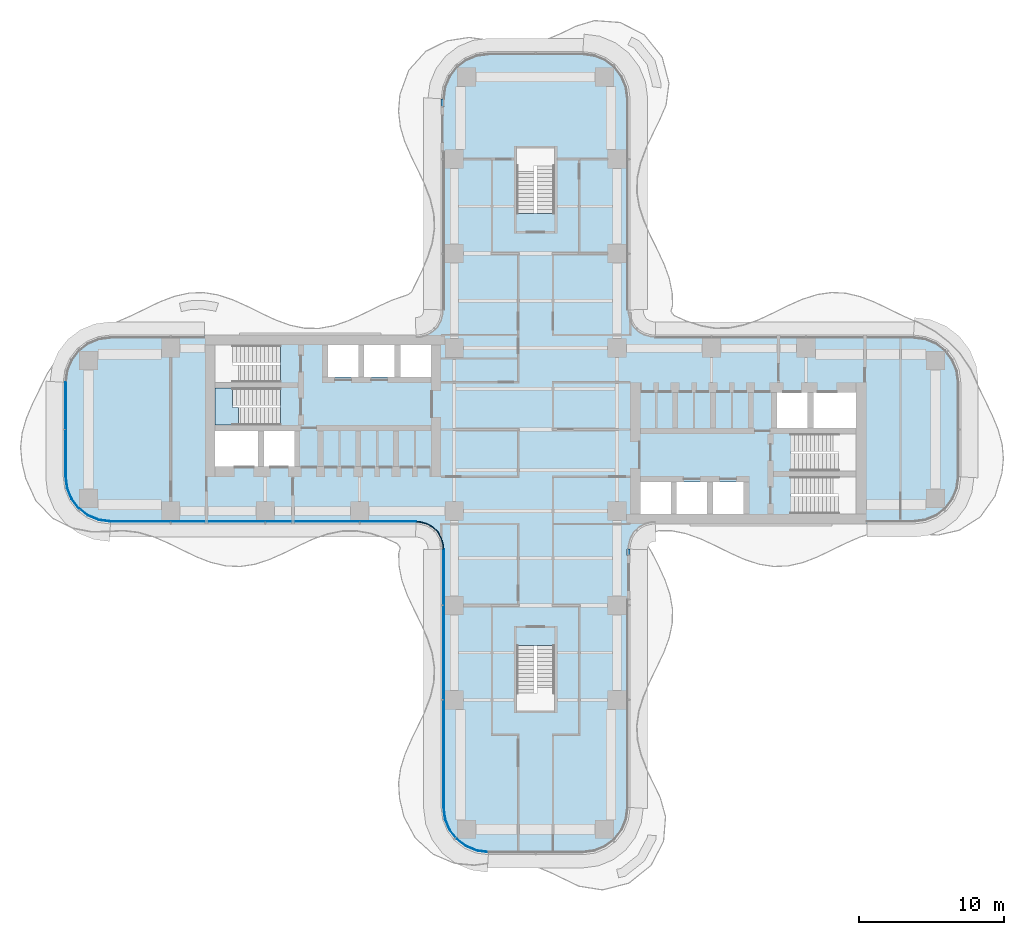
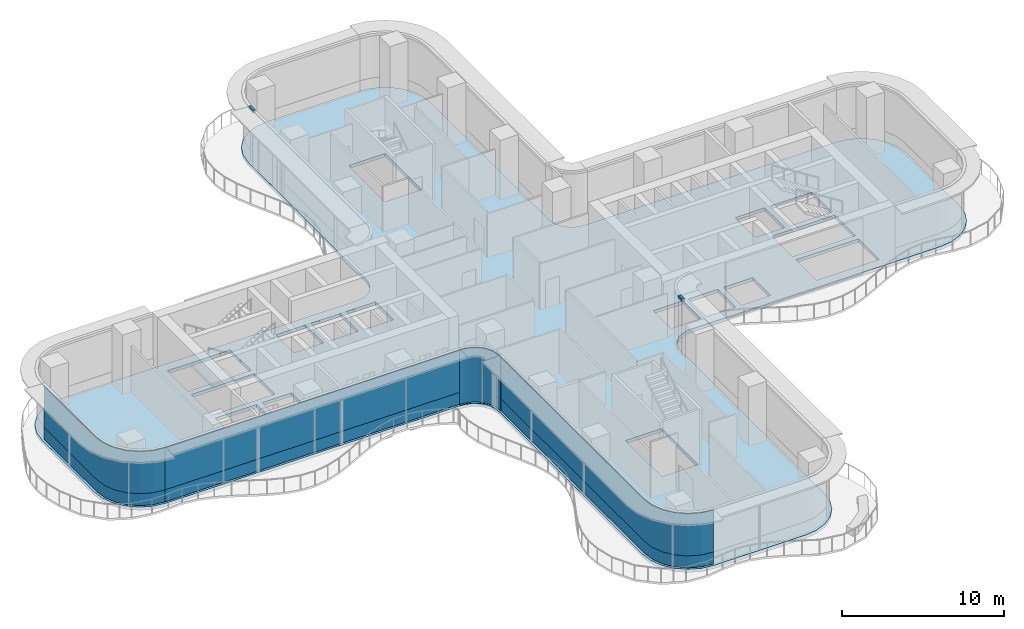
# One storey, part 13 of 23: 7 plates, 2 members, 2 slabs, 7 elements without a shape of their own.
"""IFC4 building model written with IfcOpenShell, lengths in metres."""

from ifc_helpers import new_model, si_unit, direction, frame, origin, place, context, subcontext, project, spatial, polyline, outline, extrude, source, transform, mapped, material, layer, layer_set, type_object, element, aggregate, save


model = new_model("IFC4")

# Units and contexts
model_context = context("Model", 3, precision=1e-05, world=origin(), true_north=direction((0.0, 1.0)))
body_context = subcontext(model_context, "Body", "Model", "MODEL_VIEW")
ifc_project = project(units=[si_unit("LENGTHUNIT", "METRE"), si_unit("AREAUNIT", "SQUARE_METRE"), si_unit("VOLUMEUNIT", "CUBIC_METRE"), si_unit("PLANEANGLEUNIT", "RADIAN"), si_unit("MASSUNIT", "GRAM", prefix="KILO")], contexts=[model_context])

# Site, building, storey
site_placement = place(None, origin())
site = spatial("IfcSite", under=ifc_project, at=site_placement, CompositionType="ELEMENT")
building_placement = place(site_placement, origin())
building = spatial("IfcBuilding", under=site, at=building_placement, Name="Trellis Farm Tower", CompositionType="ELEMENT")
storey_placement = place(building_placement, frame((0.0, 0.0, 120.0)))
storey = spatial("IfcBuildingStorey", under=building, at=storey_placement, Name="L25", CompositionType="ELEMENT", Elevation=120.0)

# Curtain wall, member
ifc_material_1 = material(Name="Aluminium and glass curtain wall", Category="aluminium")
ifc_layer_1 = layer(ifc_material_1, 0.18994140625)
ifc_layer_set_1 = layer_set([ifc_layer_1], Name="RIBBON CURTAIN WALL CW1")
curtain_wall_type_1 = type_object("IfcCurtainWallType", Name="RIBBON CURTAIN WALL CW1", PredefinedType="NOTDEFINED", material=ifc_layer_set_1)
placement_1 = place(storey_placement, origin())
curtain_wall_1 = element("IfcCurtainWall", 1, at=placement_1, inside=storey, type_object=curtain_wall_type_1, Name="CW1 005", PredefinedType="NOTDEFINED")
ifc_material_2 = material(Name="Aluminium extrusion 6063-T6", Category="aluminium")
ifc_layer_2 = layer(ifc_material_2, 0.199951171875)
ifc_layer_set_2 = layer_set([ifc_layer_2], Name="Aluminium extrusion 6063-T6")
member_type = type_object("IfcMemberType", Name="CW1 TRANSOM 200x180", PredefinedType="USERDEFINED", material=ifc_layer_set_2)
shared_shape_1 = source(origin(), body_context, "Body", "SweptSolid", [
    extrude(outline(polyline([(6.5, -8.665771484375), (6.5, -8.2314453125), (6.300048828125, -8.224853515625), (6.300048828125, -8.665771484375), (6.5, -8.665771484375)])), origin(), (0.0, 0.0, 1.0), 0.179931640625),
])
placement_2 = place(storey_placement, frame((0.0, 0.0, 4.070068359375)))
member_1 = element("IfcMember", 2, at=placement_2, type_object=member_type, Name="TR1 005", ObjectType="TRANSOM", PredefinedType="USERDEFINED", context=body_context, shape_type="MappedRepresentation", body=[
    mapped(shared_shape_1, transform((0.0, 0.0, 0.0))),
])
aggregate(curtain_wall_1, [member_1])

curtain_wall_2 = element("IfcCurtainWall", 3, at=placement_1, inside=storey, type_object=curtain_wall_type_1, Name="CW1 011", PredefinedType="NOTDEFINED")
shared_shape_2 = source(origin(), body_context, "Body", "SweptSolid", [
    extrude(outline(polyline([(-6.5, 22.75), (-6.5, 22.175048828125), (-6.300048828125, 22.175048828125), (-6.300048828125, 22.73681640625), (-6.5, 22.75)])), origin(), (0.0, 0.0, 1.0), 0.179931640625),
])
member_2 = element("IfcMember", 4, at=placement_2, type_object=member_type, Name="TR1 011", ObjectType="TRANSOM", PredefinedType="USERDEFINED", context=body_context, shape_type="MappedRepresentation", body=[
    mapped(shared_shape_2, transform((0.0, 0.0, 0.0))),
])
aggregate(curtain_wall_2, [member_2])

# Slab
ifc_material_3 = material(Name="Concrete C40/50", Category="concrete")
ifc_layer_3 = layer(ifc_material_3, 0.25)
ifc_layer_set_3 = layer_set([ifc_layer_3], Name="Composite deck floor slab 250")
slab_type_1 = type_object("IfcSlabType", Name="Composite deck floor slab 250", PredefinedType="FLOOR", material=ifc_layer_set_3)
shared_shape_3 = source(origin(), body_context, "Body", "SweptSolid", [
    extrude(outline(polyline([(-30.09130859375, -6.389404296875), (-30.875, -6.064697265625), (-31.548095703125, -5.548095703125), (-32.064697265625, -4.875), (-32.389404296875, -4.09130859375), (-32.5, -3.25), (-32.5, 3.25), (-32.389404296875, 4.09130859375), (-32.064697265625, 4.875), (-31.548095703125, 5.548095703125), (-30.875, 6.064697265625), (-30.09130859375, 6.389404296875), (-29.25, 6.5), (-8.2314453125, 6.5), (-8.01953125, 6.513916015625), (-7.91552734375, 6.527587890625), (-7.508544921875, 6.63671875), (-7.144287109375, 6.846923828125), (-6.846923828125, 7.144287109375), (-6.63671875, 7.508544921875), (-6.527587890625, 7.91552734375), (-6.513916015625, 8.01953125), (-6.5, 8.2314453125), (-6.5, 22.75), (-6.389404296875, 23.59130859375), (-6.064697265625, 24.375), (-5.548095703125, 25.048095703125), (-4.875, 25.564697265625), (-4.09130859375, 25.889404296875), (-3.25, 26.0), (3.25, 26.0), (4.09130859375, 25.889404296875), (4.875, 25.564697265625), (5.548095703125, 25.048095703125), (6.064697265625, 24.375), (6.389404296875, 23.59130859375), (6.5, 22.75), (6.5, 8.2314453125), (6.513916015625, 8.01953125), (6.527587890625, 7.91552734375), (6.63671875, 7.508544921875), (6.846923828125, 7.144287109375), (7.144287109375, 6.846923828125), (7.508544921875, 6.63671875), (7.91552734375, 6.527587890625), (8.01953125, 6.513916015625), (8.2314453125, 6.5), (26.0, 6.5), (26.84130859375, 6.389404296875), (27.625, 6.064697265625), (28.298095703125, 5.548095703125), (28.814697265625, 4.875), (29.139404296875, 4.09130859375), (29.25, 3.25), (29.25, -3.25), (29.139404296875, -4.09130859375), (28.814697265625, -4.875), (28.298095703125, -5.548095703125), (27.625, -6.064697265625), (26.84130859375, -6.389404296875), (26.0, -6.5), (8.2314453125, -6.5), (8.01953125, -6.513916015625), (7.91552734375, -6.527587890625), (7.508544921875, -6.63671875), (7.144287109375, -6.846923828125), (6.846923828125, -7.144287109375), (6.63671875, -7.508544921875), (6.527587890625, -7.91552734375), (6.513916015625, -8.01953125), (6.5, -8.2314453125), (6.5, -26.0), (6.389404296875, -26.84130859375), (6.064697265625, -27.625), (5.548095703125, -28.298095703125), (4.875, -28.814697265625), (4.09130859375, -29.139404296875), (3.25, -29.25), (-3.25, -29.25), (-4.09130859375, -29.139404296875), (-4.875, -28.814697265625), (-5.548095703125, -28.298095703125), (-6.064697265625, -27.625), (-6.389404296875, -26.84130859375), (-6.5, -26.0), (-6.5, -8.2314453125), (-6.513916015625, -8.01953125), (-6.527587890625, -7.91552734375), (-6.63671875, -7.508544921875), (-6.846923828125, -7.144287109375), (-7.144287109375, -6.846923828125), (-7.508544921875, -6.63671875), (-7.91552734375, -6.527587890625), (-8.01953125, -6.513916015625), (-8.2314453125, -6.5), (-29.25, -6.5), (-30.09130859375, -6.389404296875)]), holes=[polyline([(-22.050048828125, -0.10009765625), (-22.050048828125, -2.550048828125), (-19.10009765625, -2.550048828125), (-19.10009765625, -0.10009765625), (-22.050048828125, -0.10009765625)]), polyline([(-18.699951171875, -0.10009765625), (-18.699951171875, -2.550048828125), (-16.60009765625, -2.550048828125), (-16.60009765625, -0.10009765625), (-18.699951171875, -0.10009765625)]), polyline([(-17.56201171875, 1.64990234375), (-17.56201171875, 2.85009765625), (-22.050048828125, 2.85009765625), (-22.050048828125, 0.300048828125), (-17.56005859375, 0.300048828125), (-17.56005859375, 1.5), (-17.550048828125, 1.5), (-17.550048828125, 1.64990234375), (-17.56201171875, 1.64990234375)]), polyline([(-17.56201171875, 4.60009765625), (-17.56201171875, 5.800048828125), (-22.050048828125, 5.800048828125), (-22.050048828125, 3.25), (-17.56005859375, 3.25), (-17.56005859375, 4.449951171875), (-17.550048828125, 4.449951171875), (-17.550048828125, 4.60009765625), (-17.56201171875, 4.60009765625)]), polyline([(-14.300048828125, 5.800048828125), (-14.300048828125, 3.60009765625), (-12.199951171875, 3.60009765625), (-12.199951171875, 5.800048828125), (-14.300048828125, 5.800048828125)]), polyline([(-11.800048828125, 5.800048828125), (-11.800048828125, 3.60009765625), (-9.699951171875, 3.60009765625), (-9.699951171875, 5.800048828125), (-11.800048828125, 5.800048828125)]), polyline([(-9.300048828125, 5.800048828125), (-9.300048828125, 3.60009765625), (-7.199951171875, 3.60009765625), (-7.199951171875, 5.800048828125), (-9.300048828125, 5.800048828125)]), polyline([(0.10009765625, 14.862060546875), (1.300048828125, 14.862060546875), (1.300048828125, 19.35009765625), (-1.300048828125, 19.35009765625), (-1.300048828125, 14.860107421875), (-0.10009765625, 14.860107421875), (-0.10009765625, 14.85009765625), (0.10009765625, 14.85009765625), (0.10009765625, 14.862060546875)]), polyline([(-0.10009765625, -14.862060546875), (-1.300048828125, -14.862060546875), (-1.300048828125, -19.35009765625), (1.300048828125, -19.35009765625), (1.300048828125, -14.860107421875), (0.10009765625, -14.860107421875), (0.10009765625, -14.85009765625), (-0.10009765625, -14.85009765625), (-0.10009765625, -14.862060546875)]), polyline([(9.300048828125, -5.800048828125), (9.300048828125, -3.60009765625), (7.199951171875, -3.60009765625), (7.199951171875, -5.800048828125), (9.300048828125, -5.800048828125)]), polyline([(11.800048828125, -5.800048828125), (11.800048828125, -3.60009765625), (9.699951171875, -3.60009765625), (9.699951171875, -5.800048828125), (11.800048828125, -5.800048828125)]), polyline([(14.300048828125, -5.800048828125), (14.300048828125, -3.60009765625), (12.199951171875, -3.60009765625), (12.199951171875, -5.800048828125), (14.300048828125, -5.800048828125)]), polyline([(17.56201171875, -4.60009765625), (17.56201171875, -5.800048828125), (22.050048828125, -5.800048828125), (22.050048828125, -3.25), (17.56005859375, -3.25), (17.56005859375, -4.449951171875), (17.550048828125, -4.449951171875), (17.550048828125, -4.60009765625), (17.56201171875, -4.60009765625)]), polyline([(17.56201171875, -1.64990234375), (17.56201171875, -2.85009765625), (22.050048828125, -2.85009765625), (22.050048828125, -0.300048828125), (17.56005859375, -0.300048828125), (17.56005859375, -1.5), (17.550048828125, -1.5), (17.550048828125, -1.64990234375), (17.56201171875, -1.64990234375)]), polyline([(18.699951171875, 0.10009765625), (18.699951171875, 2.550048828125), (16.60009765625, 2.550048828125), (16.60009765625, 0.10009765625), (18.699951171875, 0.10009765625)]), polyline([(22.050048828125, 0.10009765625), (22.050048828125, 2.550048828125), (19.10009765625, 2.550048828125), (19.10009765625, 0.10009765625), (22.050048828125, 0.10009765625)])]), origin(), (0.0, 0.0, 1.0), 0.25),
])
slab_1_placement = place(storey_placement, frame((0.0, 0.0, -0.25)))
element("IfcSlab", 5, at=slab_1_placement, inside=storey, type_object=slab_type_1, Name="Floor slab", PredefinedType="FLOOR", context=body_context, shape_type="MappedRepresentation", body=[
    mapped(shared_shape_3, transform((0.0, 0.0, 0.0))),
])

# Stair, slab
ifc_material_4 = material(Name="Concrete C50/60", Category="concrete")
stair_type = type_object("IfcStairType", Name="CORE EXIT STAIR 26 RISERS 173 MM", PredefinedType="HALF_TURN_STAIR", material=ifc_material_4)
stair = element("IfcStair", 6, at=placement_1, inside=storey, type_object=stair_type, Name="Exit stair W2", PredefinedType="HALF_TURN_STAIR")
ifc_layer_4 = layer(ifc_material_4, 0.18994140625)
ifc_layer_set_4 = layer_set([ifc_layer_4], Name="CORE STAIR LANDING 190 CONCRETE C50/60")
slab_type_2 = type_object("IfcSlabType", Name="CORE STAIR LANDING 190 CONCRETE C50/60", PredefinedType="LANDING", material=ifc_layer_set_4)
shared_shape_4 = source(origin(), body_context, "Body", "SweptSolid", [
    extrude(outline(polyline([(-20.453125, 1.5), (-20.453125, 0.300048828125), (-20.85009765625, 0.300048828125), (-22.050048828125, 0.300048828125), (-22.050048828125, 2.85009765625), (-20.85009765625, 2.85009765625), (-20.840087890625, 2.85009765625), (-20.840087890625, 1.64990234375), (-20.85009765625, 1.64990234375), (-20.85009765625, 1.5), (-20.453125, 1.5)])), origin(), (0.0, 0.0, 1.0), 0.18994140625),
])
slab_2_placement = place(storey_placement, frame((0.0, 0.0, 2.06005859375)))
slab_2 = element("IfcSlab", 7, at=slab_2_placement, type_object=slab_type_2, Name="STW2 landing 1", PredefinedType="LANDING", context=body_context, shape_type="MappedRepresentation", body=[
    mapped(shared_shape_4, transform((0.0, 0.0, 0.0))),
])
aggregate(stair, [slab_2])

# Curtain wall, plates
curtain_wall_3 = element("IfcCurtainWall", 8, at=placement_1, inside=storey, type_object=curtain_wall_type_1, Name="CW1 001", PredefinedType="NOTDEFINED")
ifc_material_5 = material(Name="Clear insulated glass", Category="glass")
ifc_layer_5 = layer(ifc_material_5, 0.0400390625)
ifc_layer_set_5 = layer_set([ifc_layer_5], Name="CW1 GLASS PANEL 40")
plate_type_1 = type_object("IfcPlateType", Name="CW1 GLASS PANEL 40", PredefinedType="CURTAIN_PANEL", material=ifc_layer_set_5)
shared_shape_5 = source(origin(), body_context, "Body", "SweptSolid", [
    extrude(outline(polyline([(-29.240234375, -6.35009765625), (-8.2265625, -6.35009765625), (-8.22509765625, -6.31005859375), (-29.237548828125, -6.31005859375), (-29.240234375, -6.35009765625)])), origin(), (0.0, 0.0, 1.0), 3.170166015625),
])
placement_3 = place(storey_placement, frame((0.0, 0.0, 0.89990234375)))
plate_1 = element("IfcPlate", 9, at=placement_3, type_object=plate_type_1, Name="PL1 001", PredefinedType="CURTAIN_PANEL", context=body_context, shape_type="MappedRepresentation", body=[
    mapped(shared_shape_5, transform((0.0, 0.0, 0.0))),
])
ifc_material_6 = material(Name="Sandstone faced insulated panel", Category="masonry")
ifc_layer_6 = layer(ifc_material_6, 0.050048828125)
ifc_layer_set_6 = layer_set([ifc_layer_6], Name="CW1 STONE SPANDREL PANEL 50")
plate_type_2 = type_object("IfcPlateType", Name="CW1 STONE SPANDREL PANEL 50", PredefinedType="CURTAIN_PANEL", material=ifc_layer_set_6)
shared_shape_6 = source(origin(), body_context, "Body", "SweptSolid", [
    extrude(outline(polyline([(-29.240234375, -6.35009765625), (-8.2265625, -6.35009765625), (-8.224853515625, -6.300048828125), (-29.23681640625, -6.300048828125), (-29.240234375, -6.35009765625)])), origin(), (0.0, 0.0, 1.0), 0.89990234375),
])
plate_2 = element("IfcPlate", 10, at=placement_1, type_object=plate_type_2, Name="PS1 001", PredefinedType="CURTAIN_PANEL", context=body_context, shape_type="MappedRepresentation", body=[
    mapped(shared_shape_6, transform((0.0, 0.0, 0.0))),
])
aggregate(curtain_wall_3, [plate_1, plate_2])

# Curtain wall, plate
ifc_layer_7 = layer(ifc_material_1, 0.166015625)
ifc_layer_set_7 = layer_set([ifc_layer_7], Name="WINTER GARDEN CURTAIN WALL CW3")
curtain_wall_type_2 = type_object("IfcCurtainWallType", Name="WINTER GARDEN CURTAIN WALL CW3", PredefinedType="NOTDEFINED", material=ifc_layer_set_7)
curtain_wall_4 = element("IfcCurtainWall", 11, at=placement_1, inside=storey, type_object=curtain_wall_type_2, Name="CW3 001", PredefinedType="NOTDEFINED")
ifc_layer_8 = layer(ifc_material_5, 0.0458984375)
ifc_layer_set_8 = layer_set([ifc_layer_8], Name="CW3 GLASS PANEL 46")
plate_type_3 = type_object("IfcPlateType", Name="CW3 GLASS PANEL 46", PredefinedType="CURTAIN_PANEL", material=ifc_layer_set_8)
shared_shape_7 = source(origin(), body_context, "Body", "SweptSolid", [
    extrude(outline(polyline([(-8.2275390625, -6.3798828125), (-8.0078125, -6.394287109375), (-7.89208984375, -6.40966796875), (-7.462158203125, -6.52490234375), (-7.070556640625, -6.7509765625), (-6.7509765625, -7.070556640625), (-6.52490234375, -7.462158203125), (-6.40966796875, -7.89208984375), (-6.394287109375, -8.0078125), (-6.3798828125, -8.2275390625), (-6.333984375, -8.22607421875), (-6.3486328125, -8.003173828125), (-6.364501953125, -7.883056640625), (-6.48193359375, -7.4443359375), (-6.714111328125, -7.04248046875), (-7.04248046875, -6.714111328125), (-7.4443359375, -6.48193359375), (-7.883056640625, -6.364501953125), (-8.003173828125, -6.3486328125), (-8.22607421875, -6.333984375), (-8.2275390625, -6.3798828125)])), origin(), (0.0, 0.0, 1.0), 4.10009765625),
])
plate_3 = element("IfcPlate", 12, at=placement_1, type_object=plate_type_3, Name="PL3 001", PredefinedType="CURTAIN_PANEL", context=body_context, shape_type="MappedRepresentation", body=[
    mapped(shared_shape_7, transform((0.0, 0.0, 0.0))),
])
aggregate(curtain_wall_4, [plate_3])

# Curtain wall, plates
curtain_wall_5 = element("IfcCurtainWall", 13, at=placement_1, inside=storey, type_object=curtain_wall_type_1, Name="CW1 002", PredefinedType="NOTDEFINED")
shared_shape_8 = source(origin(), body_context, "Body", "SweptSolid", [
    extrude(outline(polyline([(-6.35009765625, -8.2265625), (-6.35009765625, -25.990234375), (-6.2431640625, -26.802001953125), (-5.93359375, -27.54931640625), (-5.441162109375, -28.191162109375), (-4.79931640625, -28.68359375), (-4.052001953125, -28.9931640625), (-3.240234375, -29.10009765625), (-3.237548828125, -29.06005859375), (-4.04150390625, -28.9541015625), (-4.779296875, -28.648681640625), (-5.41259765625, -28.16259765625), (-5.898681640625, -27.529296875), (-6.2041015625, -26.79150390625), (-6.31005859375, -25.987548828125), (-6.31005859375, -8.22509765625), (-6.35009765625, -8.2265625)])), origin(), (0.0, 0.0, 1.0), 3.170166015625),
])
plate_4 = element("IfcPlate", 14, at=placement_3, type_object=plate_type_1, Name="PL1 002", PredefinedType="CURTAIN_PANEL", context=body_context, shape_type="MappedRepresentation", body=[
    mapped(shared_shape_8, transform((0.0, 0.0, 0.0))),
])
shared_shape_9 = source(origin(), body_context, "Body", "SweptSolid", [
    extrude(outline(polyline([(-6.35009765625, -8.2265625), (-6.35009765625, -25.990234375), (-6.2431640625, -26.802001953125), (-5.93359375, -27.54931640625), (-5.441162109375, -28.191162109375), (-4.79931640625, -28.68359375), (-4.052001953125, -28.9931640625), (-3.240234375, -29.10009765625), (-3.23681640625, -29.050048828125), (-4.0390625, -28.9443359375), (-4.774169921875, -28.639892578125), (-5.405517578125, -28.155517578125), (-5.889892578125, -27.524169921875), (-6.1943359375, -26.7890625), (-6.300048828125, -25.98681640625), (-6.300048828125, -8.224853515625), (-6.35009765625, -8.2265625)])), origin(), (0.0, 0.0, 1.0), 0.89990234375),
])
plate_5 = element("IfcPlate", 15, at=placement_1, type_object=plate_type_2, Name="PS1 002", PredefinedType="CURTAIN_PANEL", context=body_context, shape_type="MappedRepresentation", body=[
    mapped(shared_shape_9, transform((0.0, 0.0, 0.0))),
])
aggregate(curtain_wall_5, [plate_4, plate_5])

curtain_wall_6 = element("IfcCurtainWall", 16, at=placement_1, inside=storey, type_object=curtain_wall_type_1, Name="CW1 014", PredefinedType="NOTDEFINED")
shared_shape_10 = source(origin(), body_context, "Body", "SweptSolid", [
    extrude(outline(polyline([(-32.35009765625, 3.240234375), (-32.35009765625, -3.240234375), (-32.2431640625, -4.052001953125), (-31.93359375, -4.79931640625), (-31.441162109375, -5.441162109375), (-30.79931640625, -5.93359375), (-30.052001953125, -6.2431640625), (-29.240234375, -6.35009765625), (-29.237548828125, -6.31005859375), (-30.04150390625, -6.2041015625), (-30.779296875, -5.898681640625), (-31.41259765625, -5.41259765625), (-31.898681640625, -4.779296875), (-32.2041015625, -4.04150390625), (-32.31005859375, -3.237548828125), (-32.31005859375, 3.237548828125), (-32.35009765625, 3.240234375)])), origin(), (0.0, 0.0, 1.0), 3.170166015625),
])
plate_6 = element("IfcPlate", 17, at=placement_3, type_object=plate_type_1, Name="PL1 014", PredefinedType="CURTAIN_PANEL", context=body_context, shape_type="MappedRepresentation", body=[
    mapped(shared_shape_10, transform((0.0, 0.0, 0.0))),
])
shared_shape_11 = source(origin(), body_context, "Body", "SweptSolid", [
    extrude(outline(polyline([(-32.35009765625, 3.240234375), (-32.35009765625, -3.240234375), (-32.2431640625, -4.052001953125), (-31.93359375, -4.79931640625), (-31.441162109375, -5.441162109375), (-30.79931640625, -5.93359375), (-30.052001953125, -6.2431640625), (-29.240234375, -6.35009765625), (-29.23681640625, -6.300048828125), (-30.0390625, -6.1943359375), (-30.774169921875, -5.889892578125), (-31.405517578125, -5.405517578125), (-31.889892578125, -4.774169921875), (-32.1943359375, -4.0390625), (-32.300048828125, -3.23681640625), (-32.300048828125, 3.23681640625), (-32.35009765625, 3.240234375)])), origin(), (0.0, 0.0, 1.0), 0.89990234375),
])
plate_7 = element("IfcPlate", 18, at=placement_1, type_object=plate_type_2, Name="PS1 014", PredefinedType="CURTAIN_PANEL", context=body_context, shape_type="MappedRepresentation", body=[
    mapped(shared_shape_11, transform((0.0, 0.0, 0.0))),
])
aggregate(curtain_wall_6, [plate_6, plate_7])

save(model, "model.ifc")
